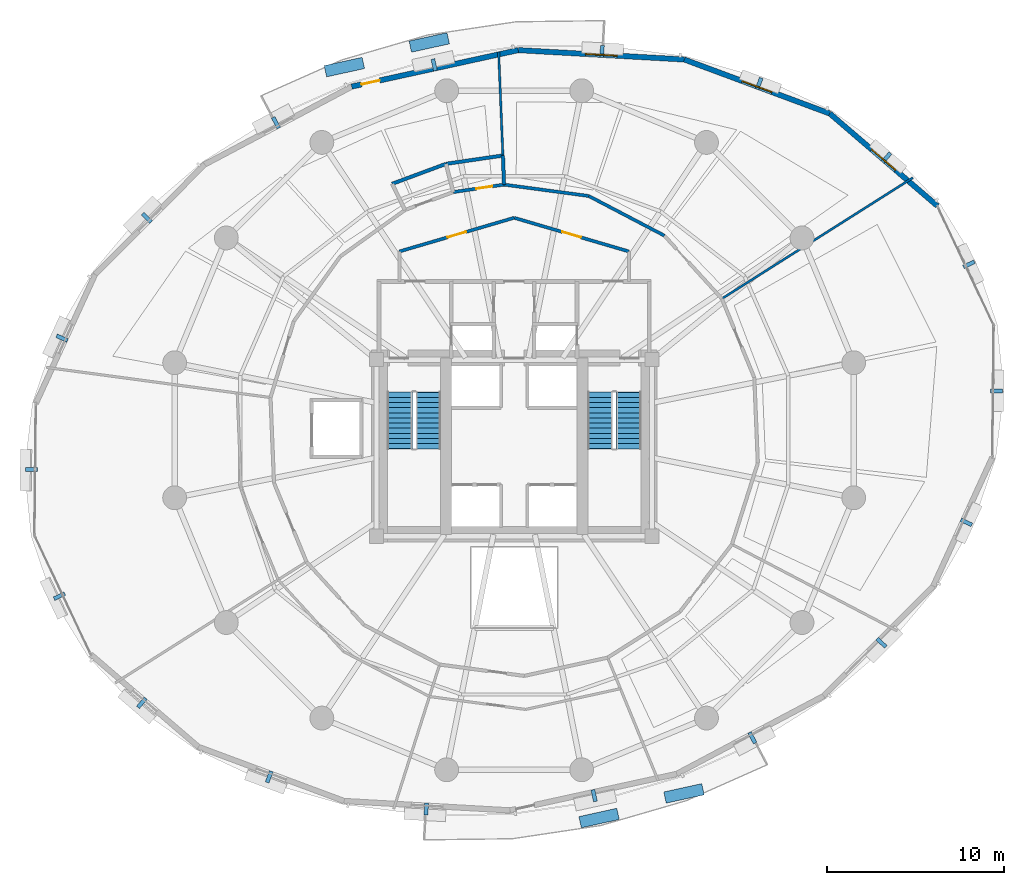
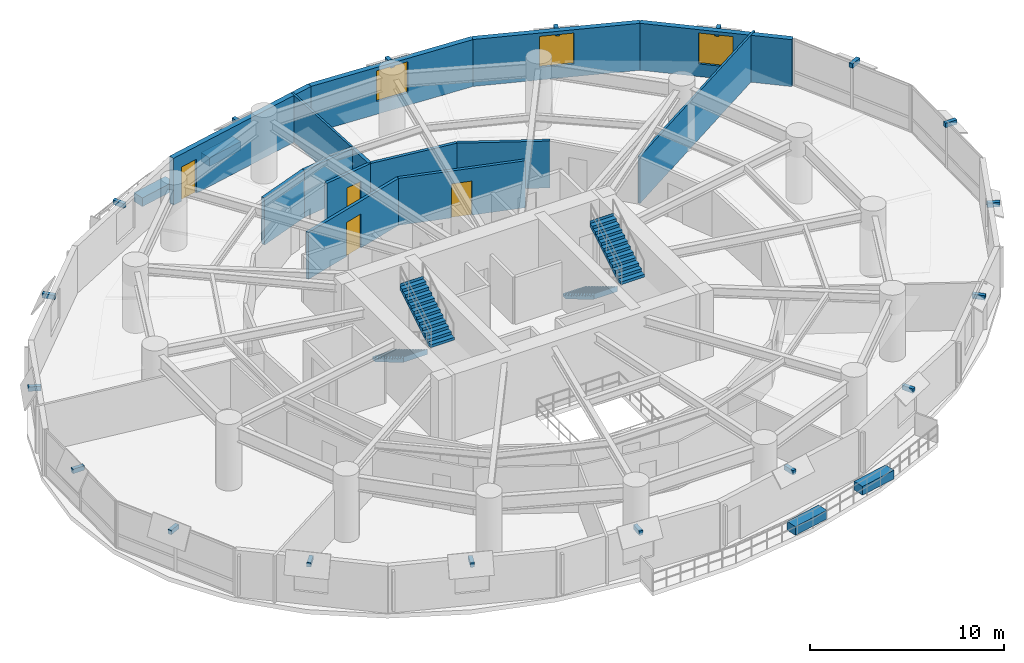
# One storey, part 14 of 17: 22 discrete accessories, 14 walls, 4 doors, 4 stair flights, 3 windows, 7 openings, 2 elements without a shape of their own.
"""IFC4 building model written with IfcOpenShell, lengths in metres."""

import ifcopenshell
import ifcopenshell.guid

model = None  # the IFC model being written
_history = None  # IfcOwnerHistory: only IFC2X3 demands one
_inside = {}  # id of a spatial element -> (the spatial element, [elements in it])
_under = {}  # id of a project, library or spatial element -> (it, [spatial elements below it])
_declared = {}  # id of a project -> (the project, [libraries it declares])
_typed = {}  # id of a type object -> (the type object, [elements of that type])
_made_of = {}  # id of a material, layer set ... -> (it, [elements and type objects made of it])


def new_model(schema):
    """Start an empty IFC model of exactly this schema.

    Asked for "IFC4X3", IfcOpenShell would pick the latest addendum, in which some entities
    have other attributes; the version numbers below select the first issue.
    IFC2X3 requires an IfcOwnerHistory on every rooted entity: one is made here for all.
    """
    global model, _history
    if schema == "IFC4X3":
        model = ifcopenshell.file(schema_version=(4, 3, 0, 0))
    else:
        model = ifcopenshell.file(schema=schema)
    _inside.clear()
    _under.clear()
    _declared.clear()
    _typed.clear()
    _made_of.clear()
    _history = None
    if model.schema == "IFC2X3":
        org = make("IfcOrganization", Name="unknown")
        user = make(
            "IfcPersonAndOrganization",
            ThePerson=make("IfcPerson", FamilyName="unknown"),
            TheOrganization=org,
        )
        app = make(
            "IfcApplication",
            ApplicationDeveloper=org,
            Version="unknown",
            ApplicationFullName="unknown",
            ApplicationIdentifier="unknown",
        )
        _history = make(
            "IfcOwnerHistory",
            OwningUser=user,
            OwningApplication=app,
            ChangeAction="ADDED",
            CreationDate=0,
        )
    return model


def make(cls, **values):
    """One entity of the class cls with the attributes given. An attribute that is None is left unset."""
    return model.create_entity(
        cls, **{name: value for name, value in values.items() if value is not None}
    )


def rooted(cls, **values):
    """An entity with a GlobalId (a new one), such as an element, a storey or a relation."""
    return make(cls, GlobalId=ifcopenshell.guid.new(), OwnerHistory=_history, **values)


def si_unit(unit_type, name, prefix=None):
    """IfcSIUnit, for example si_unit("LENGTHUNIT", "METRE", prefix="MILLI")."""
    return make("IfcSIUnit", UnitType=unit_type, Prefix=prefix, Name=name)


def assignment(units):
    """IfcUnitAssignment: the units of a project."""
    return None if units is None else make("IfcUnitAssignment", Units=units)


def point(xyz):
    """IfcCartesianPoint."""
    return None if xyz is None else make("IfcCartesianPoint", Coordinates=xyz)


def direction(xyz):
    """IfcDirection."""
    return None if xyz is None else make("IfcDirection", DirectionRatios=xyz)


def frame(location, z_axis=None, x_axis=None):
    """IfcAxis2Placement3D, a coordinate frame: its origin and axes. An axis left out is left unset."""
    return make(
        "IfcAxis2Placement3D",
        Location=point(location),
        Axis=direction(z_axis),
        RefDirection=direction(x_axis),
    )


def frame_2d(location, x_axis=None):
    """IfcAxis2Placement2D, a coordinate frame in the plane: its origin and x axis."""
    return make(
        "IfcAxis2Placement2D", Location=point(location), RefDirection=direction(x_axis)
    )


def origin():
    """The frame at (0, 0, 0) with its axes left unset."""
    return frame((0.0, 0.0, 0.0))


def origin_2d():
    """The frame at (0, 0) in the plane with its x axis left unset."""
    return frame_2d((0.0, 0.0))


def place(relative_to, where):
    """IfcLocalPlacement: puts the frame where relative to a parent placement (None: the world)."""
    return make(
        "IfcLocalPlacement", PlacementRelTo=relative_to, RelativePlacement=where
    )


def context(
    kind, dimensions, precision=None, world=None, true_north=None, identifier=None
):
    """IfcGeometricRepresentationContext, for example the 3D "Model" context."""
    return make(
        "IfcGeometricRepresentationContext",
        ContextIdentifier=identifier,
        ContextType=kind,
        CoordinateSpaceDimension=dimensions,
        Precision=precision,
        WorldCoordinateSystem=world,
        TrueNorth=true_north,
    )


def subcontext(parent, identifier, kind, view, scale=None):
    """IfcGeometricRepresentationSubContext, for example "Body" below "Model"."""
    return make(
        "IfcGeometricRepresentationSubContext",
        ContextIdentifier=identifier,
        ContextType=kind,
        ParentContext=parent,
        TargetScale=scale,
        TargetView=view,
    )


def project(units=None, contexts=None):
    """IfcProject with its units and contexts."""
    return rooted(
        "IfcProject",
        Name="project",
        RepresentationContexts=contexts,
        UnitsInContext=assignment(units),
    )


def spatial(cls, under=None, at=None, **own):
    """A site, building, storey or space (cls), placed at a placement, below another one or the project."""
    s = rooted(cls, ObjectPlacement=at, **own)
    if under is not None:
        _under.setdefault(under.id(), (under, []))[1].append(s)
    return s


def polyline(points):
    """IfcPolyline through the points."""
    return make("IfcPolyline", Points=[point(p) for p in points])


def profile(cls, at=None, kind="AREA", **sizes):
    """A parametric profile (cls). Its sizes go by their IFC names, for example OverallWidth=200.0."""
    return make(cls, ProfileType=kind, Position=at, **sizes)


def rectangle(**sizes):
    """IfcRectangleProfileDef."""
    return profile("IfcRectangleProfileDef", **sizes)


def outline(outer, holes=None, kind="AREA"):
    """IfcArbitraryClosedProfileDef: a profile drawn as a closed curve; with holes, ...WithVoids."""
    if holes is None:
        return make("IfcArbitraryClosedProfileDef", ProfileType=kind, OuterCurve=outer)
    return make(
        "IfcArbitraryProfileDefWithVoids",
        ProfileType=kind,
        OuterCurve=outer,
        InnerCurves=holes,
    )


def extrude(swept, where, along, depth):
    """IfcExtrudedAreaSolid: the profile swept, set in the frame where, extruded along a direction by depth."""
    return make(
        "IfcExtrudedAreaSolid",
        SweptArea=swept,
        Position=where,
        ExtrudedDirection=direction(along),
        Depth=depth,
    )


def shape(context_of_items, identifier, shape_type, items):
    """IfcShapeRepresentation: the items that make up one representation, for example the "Body"."""
    return make(
        "IfcShapeRepresentation",
        ContextOfItems=context_of_items,
        RepresentationIdentifier=identifier,
        RepresentationType=shape_type,
        Items=items,
    )


def material(Name=None, Category=None):
    """IfcMaterial."""
    return make("IfcMaterial", Name=Name, Category=Category)


def layer(
    of_material, thickness, ventilated=None, Name=None, Category=None, Priority=None
):
    """IfcMaterialLayer: one layer of a wall or slab, of a material (None: an air gap)."""
    return make(
        "IfcMaterialLayer",
        Material=of_material,
        LayerThickness=thickness,
        IsVentilated=ventilated,
        Name=Name,
        Category=Category,
        Priority=Priority,
    )


def layer_set(layers, Name=None):
    """IfcMaterialLayerSet."""
    return make("IfcMaterialLayerSet", MaterialLayers=layers, LayerSetName=Name)


def made_of(thing, what):
    """Note that an element or type object is made of a material, layer set ...; save() writes the relation."""
    if what is not None:
        _made_of.setdefault(what.id(), (what, []))[1].append(thing)
    return thing


def type_object(cls, material=None, **own):
    """A type object (cls), such as IfcWallType, which elements share."""
    return made_of(rooted(cls, **own), material)


def element(
    cls,
    number,
    at=None,
    inside=None,
    cuts=None,
    type_object=None,
    material=None,
    context=None,
    identifier="Body",
    shape_type=None,
    held_by="IfcProductDefinitionShape",
    body=None,
    shapes=None,
    **own,
):
    """One element of the class cls, such as IfcWall. Its Tag is "e" and its number.

    at: its placement. inside: the storey or other place that contains it. cuts: it is an
    opening in that element (IfcRelVoidsElement). A single representation is given by context,
    identifier, shape_type and body (its items); several are given by shapes. held_by: the class
    of the entity that holds the representations. save() writes the other relations.
    """
    e = rooted(cls, Tag="e%d" % number, ObjectPlacement=at, **own)
    if body is not None:
        shapes = [shape(context, identifier, shape_type, body)]
    if shapes is not None:
        e.Representation = make(held_by, Representations=shapes)
    if inside is not None:
        _inside.setdefault(inside.id(), (inside, []))[1].append(e)
    if cuts is not None:
        rooted(
            "IfcRelVoidsElement", RelatingBuildingElement=cuts, RelatedOpeningElement=e
        )
    if type_object is not None:
        _typed.setdefault(type_object.id(), (type_object, []))[1].append(e)
    return made_of(e, material)


def fill(opening, filler):
    """IfcRelFillsElement: the door or window that sits in an opening."""
    return rooted(
        "IfcRelFillsElement",
        RelatingOpeningElement=opening,
        RelatedBuildingElement=filler,
    )


def aggregate(whole, parts):
    """IfcRelAggregates: a whole, such as a stair, and the parts it consists of."""
    return rooted("IfcRelAggregates", RelatingObject=whole, RelatedObjects=parts)


def save(model, path):
    """Write the relations noted so far, then the file.

    IfcRelAggregates (storeys below a building ...), IfcRelContainedInSpatialStructure (elements
    in a storey), IfcRelDefinesByType, IfcRelAssociatesMaterial and IfcRelDeclares: one each for
    every whole, place, type object, material and project.
    """
    for whole, parts in _under.values():
        aggregate(whole, parts)
    for where, things in _inside.values():
        rooted(
            "IfcRelContainedInSpatialStructure",
            RelatedElements=things,
            RelatingStructure=where,
        )
    for kind, things in _typed.values():
        rooted("IfcRelDefinesByType", RelatedObjects=things, RelatingType=kind)
    for what, things in _made_of.values():
        rooted("IfcRelAssociatesMaterial", RelatedObjects=things, RelatingMaterial=what)
    for by, libraries in _declared.values():
        rooted("IfcRelDeclares", RelatingContext=by, RelatedDefinitions=libraries)
    model.write(path)


model = new_model("IFC4")

# Units and contexts
model_context = context("Model", 3, precision=1e-05, world=origin(), true_north=direction((0.0, 1.0)))
body_context = subcontext(model_context, "Body", "Model", "MODEL_VIEW")
ifc_project = project(units=[si_unit("LENGTHUNIT", "METRE"), si_unit("AREAUNIT", "SQUARE_METRE"), si_unit("VOLUMEUNIT", "CUBIC_METRE"), si_unit("PLANEANGLEUNIT", "RADIAN"), si_unit("MASSUNIT", "GRAM", prefix="KILO"), si_unit("THERMODYNAMICTEMPERATUREUNIT", "KELVIN"), si_unit("POWERUNIT", "WATT")], contexts=[model_context])

# Site, building, storey
site_placement = place(None, origin())
site = spatial("IfcSite", under=ifc_project, at=site_placement, CompositionType="ELEMENT")
building_placement = place(site_placement, origin())
building = spatial("IfcBuilding", under=site, at=building_placement, Name="Ocrelia Relay Tower", CompositionType="ELEMENT")
storey_placement = place(building_placement, frame((0.0, 0.0, 84.60009765625)))
storey = spatial("IfcBuildingStorey", under=building, at=storey_placement, Name="L19", CompositionType="ELEMENT", Elevation=84.60009765625)

# Wall, opening, door
ifc_material_1 = material(Name="Gypsum Fireboard Partition EI60", Category="gypsum")
ifc_layer_1 = layer(ifc_material_1, 0.179931640625, Name="Gypsum Fireboard Partition EI60")
ifc_layer_set_1 = layer_set([ifc_layer_1], Name="Gypsum Fireboard Partition EI60")
wall_type_1 = type_object("IfcWallType", Name="W-CORR-EI60-180", PredefinedType="PARTITIONING", material=ifc_layer_set_1)
wall_1_placement = place(storey_placement, frame((27.5, 36.122802734375, 0.0), z_axis=(0.0, 0.0, 1.0), x_axis=(0.959546654541, 0.281549671923, 0.0)))
wall_1 = element("IfcWall", 1, at=wall_1_placement, inside=storey, type_object=wall_type_1, Name="L19 North Smoke Lobby W Screen Wall", PredefinedType="PARTITIONING", context=body_context, shape_type="SweptSolid", body=[
    extrude(rectangle(XDim=6.77392578125, YDim=0.179931640625, at=frame_2d((3.386962890625, 0.0))), origin(), (0.0, 0.0, 1.0), 2.9599609375),
])
opening_1_placement = place(wall_1_placement, frame((2.8369140625, 0.0, 0.0)))
opening_1 = element("IfcOpeningElement", 2, at=opening_1_placement, cuts=wall_1, Name="Opening D-FD60", PredefinedType="OPENING", context=body_context, shape_type="SweptSolid", body=[
    extrude(rectangle(XDim=1.10009765625, YDim=2.14990234375, at=frame_2d((0.550048828125, 1.074951171875))), frame((0.0, 0.10009765625, 0.0), z_axis=(0.0, -1.0, 0.0), x_axis=(1.0, 0.0, 0.0)), (0.0, 0.0, 1.0), 0.199951171875),
])
ifc_material_2 = material(Name="Timber-core 60-min acoustic fire door", Category="wood")
door_type_1 = type_object("IfcDoorType", Name="DR-LOBBY-FD60-1100", OperationType="NOTDEFINED", PredefinedType="DOOR", material=ifc_material_2)
door_1_placement = place(opening_1_placement, origin())
door_1 = element("IfcDoor", 3, at=door_1_placement, inside=storey, type_object=door_type_1, Name="L19 North Smoke Lobby W Fire Door", OperationType="SINGLE_SWING_RIGHT", OverallHeight=2.14990234375, OverallWidth=1.10009765625, PredefinedType="DOOR", context=body_context, shape_type="SweptSolid", body=[
    extrude(rectangle(XDim=1.10009765625, YDim=2.14990234375, at=frame_2d((0.550048828125, 1.074951171875))), frame((0.0, 0.02490234375, 0.0), z_axis=(0.0, -1.0, 0.0), x_axis=(1.0, 0.0, 0.0)), (0.0, 0.0, 1.0), 0.050048828125),
])
fill(opening_1, door_1)

wall_2_placement = place(storey_placement, frame((34.0, 38.030029296875, 0.0), z_axis=(0.0, 0.0, 1.0), x_axis=(0.959546654541, -0.281549671923, 0.0)))
wall_2 = element("IfcWall", 4, at=wall_2_placement, inside=storey, type_object=wall_type_1, Name="L19 North Smoke Lobby E Screen Wall", PredefinedType="PARTITIONING", context=body_context, shape_type="SweptSolid", body=[
    extrude(rectangle(XDim=6.77392578125, YDim=0.179931640625, at=frame_2d((3.386962890625, 0.0))), origin(), (0.0, 0.0, 1.0), 2.9599609375),
])
opening_2_placement = place(wall_2_placement, frame((2.8369140625, 0.0, 0.0)))
opening_2 = element("IfcOpeningElement", 5, at=opening_2_placement, cuts=wall_2, Name="Opening D-FD60", PredefinedType="OPENING", context=body_context, shape_type="SweptSolid", body=[
    extrude(rectangle(XDim=1.10009765625, YDim=2.14990234375, at=frame_2d((0.550048828125, 1.074951171875))), frame((0.0, 0.10009765625, 0.0), z_axis=(0.0, -1.0, 0.0), x_axis=(1.0, 0.0, 0.0)), (0.0, 0.0, 1.0), 0.199951171875),
])
door_2_placement = place(opening_2_placement, origin())
door_2 = element("IfcDoor", 6, at=door_2_placement, inside=storey, type_object=door_type_1, Name="L19 North Smoke Lobby E Fire Door", OperationType="SINGLE_SWING_LEFT", OverallHeight=2.14990234375, OverallWidth=1.10009765625, PredefinedType="DOOR", context=body_context, shape_type="SweptSolid", body=[
    extrude(rectangle(XDim=1.10009765625, YDim=2.14990234375, at=frame_2d((0.550048828125, 1.074951171875))), frame((0.0, 0.02490234375, 0.0), z_axis=(0.0, -1.0, 0.0), x_axis=(1.0, 0.0, 0.0)), (0.0, 0.0, 1.0), 0.050048828125),
])
fill(opening_2, door_2)

wall_3_placement = place(storey_placement, frame((33.42919921875, 39.908203125, 0.0), z_axis=(0.0, 0.0, 1.0), x_axis=(-0.989398525704, -0.145225883829, 0.0)))
wall_3 = element("IfcWall", 7, at=wall_3_placement, inside=storey, type_object=wall_type_1, Name="L19 Staff Toilet Corridor Wall", PredefinedType="PARTITIONING", context=body_context, shape_type="SweptSolid", body=[
    extrude(rectangle(XDim=2.909912109375, YDim=0.179931640625, at=frame_2d((1.455078125, 0.0))), origin(), (0.0, 0.0, 1.0), 2.9599609375),
])
opening_3_placement = place(wall_3_placement, frame((0.6689453125, 0.0, 0.0)))
opening_3 = element("IfcOpeningElement", 8, at=opening_3_placement, cuts=wall_3, Name="Opening D-WC92", PredefinedType="OPENING", context=body_context, shape_type="SweptSolid", body=[
    extrude(rectangle(XDim=0.919921875, YDim=2.10009765625, at=frame_2d((0.4599609375, 1.050048828125))), frame((0.0, 0.10009765625, 0.0), z_axis=(0.0, -1.0, 0.0), x_axis=(1.0, 0.0, 0.0)), (0.0, 0.0, 1.0), 0.199951171875),
])
ifc_material_3 = material(Name="Laminate washroom door", Category="wood")
door_type_2 = type_object("IfcDoorType", Name="DR-WC-920", OperationType="NOTDEFINED", PredefinedType="DOOR", material=ifc_material_3)
door_3_placement = place(opening_3_placement, origin())
door_3 = element("IfcDoor", 9, at=door_3_placement, inside=storey, type_object=door_type_2, Name="L19 Staff Toilet Door", OperationType="SINGLE_SWING_RIGHT", OverallHeight=2.10009765625, OverallWidth=0.919921875, PredefinedType="DOOR", context=body_context, shape_type="SweptSolid", body=[
    extrude(rectangle(XDim=0.919921875, YDim=2.10009765625, at=frame_2d((0.4599609375, 1.050048828125))), frame((0.0, 0.02490234375, 0.0), z_axis=(0.0, -1.0, 0.0), x_axis=(1.0, 0.0, 0.0)), (0.0, 0.0, 1.0), 0.050048828125),
])
fill(opening_3, door_3)

# Walls
wall_4_placement = place(storey_placement, frame((42.502685546875, 37.021240234375, 0.0), z_axis=(0.0, 0.0, 1.0), x_axis=(-0.885791991461, 0.464082479591, 0.0)))
element("IfcWall", 10, at=wall_4_placement, inside=storey, type_object=wall_type_1, Name="L19 Innovation Club Room Corridor Partition 2", PredefinedType="PARTITIONING", context=body_context, shape_type="SweptSolid", body=[
    extrude(rectangle(XDim=4.833984375, YDim=0.179931640625, at=frame_2d((2.4169921875, 0.0))), origin(), (0.0, 0.0, 1.0), 2.9599609375),
])
wall_5_placement = place(storey_placement, frame((38.220703125, 39.2646484375, 0.0), z_axis=(0.0, 0.0, 1.0), x_axis=(-0.991100422672, 0.133116310719, 0.0)))
element("IfcWall", 11, at=wall_5_placement, inside=storey, type_object=wall_type_1, Name="L19 Innovation Club Room Corridor Partition 3", PredefinedType="PARTITIONING", context=body_context, shape_type="SweptSolid", body=[
    extrude(rectangle(XDim=4.83447265625, YDim=0.179931640625, at=frame_2d((2.417236328125, 0.0))), origin(), (0.0, 0.0, 1.0), 2.9599609375),
])

# Wall, opening, window
ifc_material_4 = material(Name="Precast concrete C40/50 with oxide terracotta", Category="masonry")
ifc_layer_2 = layer(ifc_material_4, 0.300048828125, Name="Precast concrete C40/50 with oxide terracotta")
ifc_layer_set_2 = layer_set([ifc_layer_2], Name="Precast concrete C40/50 with oxide terracotta")
wall_type_2 = type_object("IfcWallType", Name="W-EXT-TERR-300", PredefinedType="SOLIDWALL", material=ifc_layer_set_2)
wall_6_placement = place(storey_placement, frame((57.960693359375, 38.703857421875, 0.0), z_axis=(0.0, 0.0, 1.0), x_axis=(-0.758684823953, 0.651457855815, 0.0)))
wall_6 = element("IfcWall", 12, at=wall_6_placement, inside=storey, type_object=wall_type_2, Name="L19 Oxide Terracotta Facade Wall 02", PredefinedType="SOLIDWALL", context=body_context, shape_type="SweptSolid", body=[
    extrude(rectangle(XDim=8.021484375, YDim=0.300048828125, at=frame_2d((4.0107421875, 0.0))), origin(), (0.0, 0.0, 1.0), 2.9599609375),
])
opening_4_placement = place(wall_6_placement, frame((3.111083984375, 0.0, 0.800048828125)))
opening_4 = element("IfcOpeningElement", 13, at=opening_4_placement, cuts=wall_6, Name="Opening W-02", PredefinedType="OPENING", context=body_context, shape_type="SweptSolid", body=[
    extrude(rectangle(XDim=1.800048828125, YDim=1.949951171875, at=frame_2d((0.89990234375, 0.97509765625))), frame((0.0, 0.16015625, 0.0), z_axis=(0.0, -1.0, 0.0), x_axis=(1.0, 0.0, 0.0)), (0.0, 0.0, 1.0), 0.320068359375),
])
ifc_material_5 = material(Name="Clear double-glazed low-E glass", Category="glass")
window_type = type_object("IfcWindowType", Name="WIN-Z1-1800x2100", PartitioningType="DOUBLE_PANEL_VERTICAL", PredefinedType="WINDOW", material=ifc_material_5)
window_1_placement = place(opening_4_placement, origin())
window_1 = element("IfcWindow", 14, at=window_1_placement, inside=storey, type_object=window_type, Name="L19 Facade Module Window 02", OverallHeight=1.949951171875, OverallWidth=1.800048828125, PartitioningType="SINGLE_PANEL", PredefinedType="WINDOW", context=body_context, shape_type="SweptSolid", body=[
    extrude(rectangle(XDim=1.800048828125, YDim=1.949951171875, at=frame_2d((0.89990234375, 0.97509765625))), frame((0.0, 0.030029296875, 0.0), z_axis=(0.0, -1.0, 0.0), x_axis=(1.0, 0.0, 0.0)), (0.0, 0.0, 1.0), 0.06005859375),
])
fill(opening_4, window_1)

wall_7_placement = place(storey_placement, frame((51.875, 43.929443359375, 0.0), z_axis=(0.0, 0.0, 1.0), x_axis=(-0.937362334375, 0.348355930184, 0.0)))
wall_7 = element("IfcWall", 15, at=wall_7_placement, inside=storey, type_object=wall_type_2, Name="L19 Oxide Terracotta Facade Wall 03", PredefinedType="SOLIDWALL", context=body_context, shape_type="SweptSolid", body=[
    extrude(rectangle(XDim=8.792724609375, YDim=0.300048828125, at=frame_2d((4.396484375, 0.0))), origin(), (0.0, 0.0, 1.0), 2.9599609375),
])
opening_5_placement = place(wall_7_placement, frame((3.49609375, 0.0, 0.800048828125)))
opening_5 = element("IfcOpeningElement", 16, at=opening_5_placement, cuts=wall_7, Name="Opening W-02", PredefinedType="OPENING", context=body_context, shape_type="SweptSolid", body=[
    extrude(rectangle(XDim=1.800048828125, YDim=1.949951171875, at=frame_2d((0.89990234375, 0.97509765625))), frame((0.0, 0.16015625, 0.0), z_axis=(0.0, -1.0, 0.0), x_axis=(1.0, 0.0, 0.0)), (0.0, 0.0, 1.0), 0.320068359375),
])
window_2_placement = place(opening_5_placement, origin())
window_2 = element("IfcWindow", 17, at=window_2_placement, inside=storey, type_object=window_type, Name="L19 Facade Module Window 03", OverallHeight=1.949951171875, OverallWidth=1.800048828125, PartitioningType="SINGLE_PANEL", PredefinedType="WINDOW", context=body_context, shape_type="SweptSolid", body=[
    extrude(rectangle(XDim=1.800048828125, YDim=1.949951171875, at=frame_2d((0.89990234375, 0.97509765625))), frame((0.0, 0.030029296875, 0.0), z_axis=(0.0, -1.0, 0.0), x_axis=(1.0, 0.0, 0.0)), (0.0, 0.0, 1.0), 0.06005859375),
])
fill(opening_5, window_2)

wall_8_placement = place(storey_placement, frame((43.633056640625, 46.992431640625, 0.0), z_axis=(0.0, 0.0, 1.0), x_axis=(-0.998409535383, 0.056377297353, 0.0)))
wall_8 = element("IfcWall", 18, at=wall_8_placement, inside=storey, type_object=wall_type_2, Name="L19 Oxide Terracotta Facade Wall 04", PredefinedType="SOLIDWALL", context=body_context, shape_type="SweptSolid", body=[
    extrude(rectangle(XDim=9.418701171875, YDim=0.300048828125, at=frame_2d((4.70947265625, 0.0))), origin(), (0.0, 0.0, 1.0), 2.9599609375),
])
opening_6_placement = place(wall_8_placement, frame((3.80908203125, 0.0, 0.800048828125)))
opening_6 = element("IfcOpeningElement", 19, at=opening_6_placement, cuts=wall_8, Name="Opening W-02", PredefinedType="OPENING", context=body_context, shape_type="SweptSolid", body=[
    extrude(rectangle(XDim=1.800048828125, YDim=1.949951171875, at=frame_2d((0.89990234375, 0.97509765625))), frame((0.0, 0.16015625, 0.0), z_axis=(0.0, -1.0, 0.0), x_axis=(1.0, 0.0, 0.0)), (0.0, 0.0, 1.0), 0.320068359375),
])
window_3_placement = place(opening_6_placement, origin())
window_3 = element("IfcWindow", 20, at=window_3_placement, inside=storey, type_object=window_type, Name="L19 Facade Module Window 04", OverallHeight=1.949951171875, OverallWidth=1.800048828125, PartitioningType="SINGLE_PANEL", PredefinedType="WINDOW", context=body_context, shape_type="SweptSolid", body=[
    extrude(rectangle(XDim=1.800048828125, YDim=1.949951171875, at=frame_2d((0.89990234375, 0.97509765625))), frame((0.0, 0.030029296875, 0.0), z_axis=(0.0, -1.0, 0.0), x_axis=(1.0, 0.0, 0.0)), (0.0, 0.0, 1.0), 0.06005859375),
])
fill(opening_6, window_3)

# Wall, opening, door
wall_9_placement = place(storey_placement, frame((34.229248046875, 47.5234375, 0.0), z_axis=(0.0, 0.0, 1.0), x_axis=(-0.97686057385, -0.213877112516, 0.0)))
wall_9 = element("IfcWall", 21, at=wall_9_placement, inside=storey, type_object=wall_type_2, Name="L19 Oxide Terracotta Facade Wall 05", PredefinedType="SOLIDWALL", context=body_context, shape_type="SweptSolid", body=[
    extrude(rectangle(XDim=9.65478515625, YDim=0.300048828125, at=frame_2d((4.827392578125, 0.0))), origin(), (0.0, 0.0, 1.0), 2.9599609375),
])
opening_7_placement = place(wall_9_placement, frame((8.030029296875, 0.0, 0.0)))
opening_7 = element("IfcOpeningElement", 22, at=opening_7_placement, cuts=wall_9, Name="Opening DB-105", PredefinedType="OPENING", context=body_context, shape_type="SweptSolid", body=[
    extrude(rectangle(XDim=1.050048828125, YDim=2.14990234375, at=frame_2d((0.52490234375, 1.074951171875))), frame((0.0, 0.16015625, 0.0), z_axis=(0.0, -1.0, 0.0), x_axis=(1.0, 0.0, 0.0)), (0.0, 0.0, 1.0), 0.320068359375),
])
ifc_material_6 = material(Name="Thermally broken aluminium and clear glass", Category="aluminium")
door_type_3 = type_object("IfcDoorType", Name="DR-BALC-1050", OperationType="NOTDEFINED", PredefinedType="DOOR", material=ifc_material_6)
door_4_placement = place(opening_7_placement, origin())
door_4 = element("IfcDoor", 23, at=door_4_placement, inside=storey, type_object=door_type_3, Name="L19 Planted Loggia Balcony Door B1", OperationType="SINGLE_SWING_LEFT", OverallHeight=2.14990234375, OverallWidth=1.050048828125, PredefinedType="DOOR", context=body_context, shape_type="SweptSolid", body=[
    extrude(rectangle(XDim=1.050048828125, YDim=2.14990234375, at=frame_2d((0.52490234375, 1.074951171875))), frame((0.0, 0.02490234375, 0.0), z_axis=(0.0, -1.0, 0.0), x_axis=(1.0, 0.0, 0.0)), (0.0, 0.0, 1.0), 0.050048828125),
])
fill(opening_7, door_4)

# Walls
ifc_material_7 = material(Name="Acoustic Fireboard Partition EI60", Category="gypsum")
ifc_layer_3 = layer(ifc_material_7, 0.125, Name="Acoustic Fireboard Partition EI60")
ifc_layer_set_3 = layer_set([ifc_layer_3], Name="Acoustic Fireboard Partition EI60")
wall_type_3 = type_object("IfcWallType", Name="W-PART-125", PredefinedType="PARTITIONING", material=ifc_layer_set_3)
wall_10_placement = place(storey_placement, frame((33.361572265625, 41.556884765625, 0.0), z_axis=(0.0, 0.0, 1.0), x_axis=(-0.041010556403, 0.99915871325, 0.0)))
element("IfcWall", 24, at=wall_10_placement, inside=storey, type_object=wall_type_3, Name="L19 Operations Control Office Radial Partition", PredefinedType="PARTITIONING", context=body_context, shape_type="SweptSolid", body=[
    extrude(rectangle(XDim=5.86376953125, YDim=0.125, at=frame_2d((2.931884765625, 0.0))), origin(), (0.0, 0.0, 1.0), 2.9599609375),
])
wall_11_placement = place(storey_placement, frame((45.759521484375, 33.448486328125, 0.0), z_axis=(0.0, 0.0, 1.0), x_axis=(0.844793501384, 0.535092459318, 0.0)))
element("IfcWall", 25, at=wall_11_placement, inside=storey, type_object=wall_type_3, Name="L19 Staff Wellness Room Radial Partition", PredefinedType="PARTITIONING", context=body_context, shape_type="SweptSolid", body=[
    extrude(rectangle(XDim=12.80224609375, YDim=0.125, at=frame_2d((6.401123046875, 0.0))), origin(), (0.0, 0.0, 1.0), 2.9599609375),
])
ifc_material_8 = material(Name="Moisture-Resistant Fireboard Chase Wall EI60", Category="gypsum")
ifc_layer_4 = layer(ifc_material_8, 0.199951171875, Name="Moisture-Resistant Fireboard Chase Wall EI60")
ifc_layer_set_4 = layer_set([ifc_layer_4], Name="Moisture-Resistant Fireboard Chase Wall EI60")
wall_type_4 = type_object("IfcWallType", Name="W-PLUMB-200", PredefinedType="PLUMBINGWALL", material=ifc_layer_set_4)
wall_12_placement = place(storey_placement, frame((33.42919921875, 39.908203125, 0.0), z_axis=(0.0, 0.0, 1.0), x_axis=(-0.040984341999, 0.999159788878, 0.0)))
element("IfcWall", 26, at=wall_12_placement, inside=storey, type_object=wall_type_4, Name="L19 Staff Toilet Plumbing Radial Wall", PredefinedType="PLUMBINGWALL", context=body_context, shape_type="SweptSolid", body=[
    extrude(rectangle(XDim=1.650146484375, YDim=0.199951171875, at=frame_2d((0.8251953125, 0.0))), origin(), (0.0, 0.0, 1.0), 2.9599609375),
])
wall_13_placement = place(storey_placement, frame((33.361572265625, 41.556884765625, 0.0), z_axis=(0.0, 0.0, 1.0), x_axis=(-0.989400694213, -0.145211109392, 0.0)))
element("IfcWall", 27, at=wall_13_placement, inside=storey, type_object=wall_type_4, Name="L19 Staff Toilet Back Plumbing Wall", PredefinedType="PLUMBINGWALL", context=body_context, shape_type="SweptSolid", body=[
    extrude(rectangle(XDim=3.2548828125, YDim=0.199951171875, at=frame_2d((1.62744140625, 0.0))), origin(), (0.0, 0.0, 1.0), 2.9599609375),
])
wall_14_placement = place(storey_placement, frame((30.14111328125, 41.084228515625, 0.0), z_axis=(0.0, 0.0, 1.0), x_axis=(-0.937602110864, -0.347710054073, 0.0)))
element("IfcWall", 28, at=wall_14_placement, inside=storey, type_object=wall_type_4, Name="L19 Accessible Toilet Back Plumbing Wall", PredefinedType="PLUMBINGWALL", context=body_context, shape_type="SweptSolid", body=[
    extrude(rectangle(XDim=3.255126953125, YDim=0.199951171875, at=frame_2d((1.62744140625, 0.0))), origin(), (0.0, 0.0, 1.0), 2.9599609375),
])

# Stair, stair flights
ifc_material_9 = material(Name="Concrete C50/60", Category="concrete")
stair_type = type_object("IfcStairType", Name="ST-DL-1420-R175", PredefinedType="HALF_TURN_STAIR", material=ifc_material_9)
stair_1_placement = place(storey_placement, origin())
stair_1 = element("IfcStair", 29, at=stair_1_placement, inside=storey, type_object=stair_type, Name="L19 West Core Exit Stair ST1", PredefinedType="HALF_TURN_STAIR")
stair_flight_type = type_object("IfcStairFlightType", Name="STF-DL-1420-R175", PredefinedType="STRAIGHT", material=ifc_material_9)
stair_flight_1_placement = place(storey_placement, frame((27.52001953125, 28.14990234375, 0.0), z_axis=(0.0, 0.0, 1.0), x_axis=(0.0, -1.0, 0.0)))
stair_flight_1 = element("IfcStairFlight", 30, at=stair_flight_1_placement, type_object=stair_flight_type, Name="ST1 flight 1", NumberOfRisers=12, NumberOfTreads=11, PredefinedType="STRAIGHT", RiserHeight=0.175, TreadLength=0.29, context=body_context, shape_type="SweptSolid", body=[
    extrude(outline(polyline([(-0.008056640625, 0.0), (-0.008056640625, 0.175048828125), (0.0, 0.175048828125), (0.2900390625, 0.175048828125), (0.2900390625, 0.35009765625), (0.580078125, 0.35009765625), (0.580078125, 0.52490234375), (0.8701171875, 0.52490234375), (0.8701171875, 0.699951171875), (1.159912109375, 0.699951171875), (1.159912109375, 0.875), (1.449951171875, 0.875), (1.449951171875, 1.050048828125), (1.739990234375, 1.050048828125), (1.739990234375, 1.22509765625), (2.030029296875, 1.22509765625), (2.030029296875, 1.39990234375), (2.320068359375, 1.39990234375), (2.320068359375, 1.574951171875), (2.610107421875, 1.574951171875), (2.610107421875, 1.75), (2.89990234375, 1.75), (2.89990234375, 1.925048828125), (3.18994140625, 1.925048828125), (3.18994140625, 2.10009765625), (3.197998046875, 2.10009765625), (3.197998046875, 1.75), (0.2900390625, 0.0), (-0.008056640625, 0.0)])), frame((0.0, 0.7099609375, 0.0), z_axis=(0.0, -1.0, 0.0), x_axis=(1.0, 0.0, 0.0)), (0.0, 0.0, 1.0), 1.419921875),
])
stair_flight_2_placement = place(storey_placement, frame((29.139892578125, 24.9599609375, 2.099853515625), z_axis=(0.0, 0.0, 1.0), x_axis=(0.0, 1.0, 0.0)))
stair_flight_2 = element("IfcStairFlight", 31, at=stair_flight_2_placement, type_object=stair_flight_type, Name="ST1 flight 2", NumberOfRisers=12, NumberOfTreads=11, PredefinedType="STRAIGHT", RiserHeight=0.175, TreadLength=0.29, context=body_context, shape_type="SweptSolid", body=[
    extrude(outline(polyline([(-0.008056640625, 0.0), (-0.008056640625, 0.175048828125), (0.0, 0.175048828125), (0.2900390625, 0.175048828125), (0.2900390625, 0.35009765625), (0.580078125, 0.35009765625), (0.580078125, 0.52490234375), (0.8701171875, 0.52490234375), (0.8701171875, 0.699951171875), (1.159912109375, 0.699951171875), (1.159912109375, 0.875), (1.449951171875, 0.875), (1.449951171875, 1.050048828125), (1.739990234375, 1.050048828125), (1.739990234375, 1.22509765625), (2.030029296875, 1.22509765625), (2.030029296875, 1.39990234375), (2.320068359375, 1.39990234375), (2.320068359375, 1.574951171875), (2.610107421875, 1.574951171875), (2.610107421875, 1.75), (2.89990234375, 1.75), (2.89990234375, 1.925048828125), (3.18994140625, 1.925048828125), (3.18994140625, 2.10009765625), (3.197998046875, 2.10009765625), (3.197998046875, 1.75), (0.2900390625, 0.0), (-0.008056640625, 0.0)])), frame((0.0, 0.7099609375, 0.0), z_axis=(0.0, -1.0, 0.0), x_axis=(1.0, 0.0, 0.0)), (0.0, 0.0, 1.0), 1.419921875),
])
aggregate(stair_1, [stair_flight_1, stair_flight_2])

stair_2_placement = place(storey_placement, origin())
stair_2 = element("IfcStair", 32, at=stair_2_placement, inside=storey, type_object=stair_type, Name="L19 East Core Exit Stair ST2", PredefinedType="HALF_TURN_STAIR")
stair_flight_3_placement = place(storey_placement, frame((38.8701171875, 28.14990234375, 0.0), z_axis=(0.0, 0.0, 1.0), x_axis=(0.0, -1.0, 0.0)))
stair_flight_3 = element("IfcStairFlight", 33, at=stair_flight_3_placement, type_object=stair_flight_type, Name="ST2 flight 1", NumberOfRisers=12, NumberOfTreads=11, PredefinedType="STRAIGHT", RiserHeight=0.175, TreadLength=0.29, context=body_context, shape_type="SweptSolid", body=[
    extrude(outline(polyline([(-0.008056640625, 0.0), (-0.008056640625, 0.175048828125), (0.0, 0.175048828125), (0.2900390625, 0.175048828125), (0.2900390625, 0.35009765625), (0.580078125, 0.35009765625), (0.580078125, 0.52490234375), (0.8701171875, 0.52490234375), (0.8701171875, 0.699951171875), (1.159912109375, 0.699951171875), (1.159912109375, 0.875), (1.449951171875, 0.875), (1.449951171875, 1.050048828125), (1.739990234375, 1.050048828125), (1.739990234375, 1.22509765625), (2.030029296875, 1.22509765625), (2.030029296875, 1.39990234375), (2.320068359375, 1.39990234375), (2.320068359375, 1.574951171875), (2.610107421875, 1.574951171875), (2.610107421875, 1.75), (2.89990234375, 1.75), (2.89990234375, 1.925048828125), (3.18994140625, 1.925048828125), (3.18994140625, 2.10009765625), (3.197998046875, 2.10009765625), (3.197998046875, 1.75), (0.2900390625, 0.0), (-0.008056640625, 0.0)])), frame((0.0, 0.7099609375, 0.0), z_axis=(0.0, -1.0, 0.0), x_axis=(1.0, 0.0, 0.0)), (0.0, 0.0, 1.0), 1.419921875),
])
stair_flight_4_placement = place(storey_placement, frame((40.489990234375, 24.9599609375, 2.099853515625), z_axis=(0.0, 0.0, 1.0), x_axis=(0.0, 1.0, 0.0)))
stair_flight_4 = element("IfcStairFlight", 34, at=stair_flight_4_placement, type_object=stair_flight_type, Name="ST2 flight 2", NumberOfRisers=12, NumberOfTreads=11, PredefinedType="STRAIGHT", RiserHeight=0.175, TreadLength=0.29, context=body_context, shape_type="SweptSolid", body=[
    extrude(outline(polyline([(-0.008056640625, 0.0), (-0.008056640625, 0.175048828125), (0.0, 0.175048828125), (0.2900390625, 0.175048828125), (0.2900390625, 0.35009765625), (0.580078125, 0.35009765625), (0.580078125, 0.52490234375), (0.8701171875, 0.52490234375), (0.8701171875, 0.699951171875), (1.159912109375, 0.699951171875), (1.159912109375, 0.875), (1.449951171875, 0.875), (1.449951171875, 1.050048828125), (1.739990234375, 1.050048828125), (1.739990234375, 1.22509765625), (2.030029296875, 1.22509765625), (2.030029296875, 1.39990234375), (2.320068359375, 1.39990234375), (2.320068359375, 1.574951171875), (2.610107421875, 1.574951171875), (2.610107421875, 1.75), (2.89990234375, 1.75), (2.89990234375, 1.925048828125), (3.18994140625, 1.925048828125), (3.18994140625, 2.10009765625), (3.197998046875, 2.10009765625), (3.197998046875, 1.75), (0.2900390625, 0.0), (-0.008056640625, 0.0)])), frame((0.0, 0.7099609375, 0.0), z_axis=(0.0, -1.0, 0.0), x_axis=(1.0, 0.0, 0.0)), (0.0, 0.0, 1.0), 1.419921875),
])
aggregate(stair_2, [stair_flight_3, stair_flight_4])

# Discrete accessories
ifc_material_10 = material(Name="Precast concrete C40/50 planter with highland greenery", Category="concrete")
discrete_accessory_type_1 = type_object("IfcDiscreteAccessoryType", Name="ACC-BALC-PLANTER", PredefinedType="USERDEFINED", material=ifc_material_10)
for number, where, z_axis, x_axis, name in (
    (35, (29.1923828125, 47.957275390625, 0.0), (0.0, 0.0, 1.0), (0.976859724674, 0.213880990999, 0.0), "L19 Balcony Terracotta Planter with Greenery B1"),
    (36, (24.385986328125, 46.5615234375, 0.0), (0.0, 0.0, 1.0), (0.976859724674, 0.213880990999, 0.0), "L19 Balcony Terracotta Planter B1-2"),
    (37, (38.8076171875, 4.042724609375, 0.0), (0.0, 0.0, 1.0), (-0.976859724674, -0.213880990999, 0.0), "L19 Balcony Terracotta Planter with Greenery B2"),
    (38, (43.614013671875, 5.4384765625, 0.0), (0.0, 0.0, 1.0), (-0.976859724674, -0.213880990999, 0.0), "L19 Balcony Terracotta Planter B2-2"),
):
    element("IfcDiscreteAccessory", number, at=place(storey_placement, frame(where, z_axis=z_axis, x_axis=x_axis)), inside=storey, type_object=discrete_accessory_type_1, Name=name, ObjectType="PLANTER", PredefinedType="USERDEFINED", context=body_context, shape_type="SweptSolid", body=[
        extrude(rectangle(XDim=2.199951171875, YDim=0.64990234375, at=origin_2d()), origin(), (0.0, 0.0, 1.0), 0.550048828125),
    ])
ifc_material_11 = material(Name="Steel S355", Category="steel")
discrete_accessory_type_2 = type_object("IfcDiscreteAccessoryType", Name="ACC-VISOR-BRACKET", PredefinedType="BRACKET", material=ifc_material_11)
for number, where, z_axis, x_axis, name in (
    (39, (59.74658203125, 35.393310546875, 2.65966796875), (0.0, 0.0, 1.0), (-0.42751697878, 0.904007319027, 0.0), "L19 Visor Mounting Bracket 01"),
    (40, (55.0791015625, 41.434814453125, 2.65966796875), (0.0, 0.0, 1.0), (-0.758694890183, 0.651446132547, 0.0), "L19 Visor Mounting Bracket 02"),
    (41, (47.869384765625, 45.624267578125, 2.65966796875), (0.0, 0.0, 1.0), (-0.937357586951, 0.348368704371, 0.0), "L19 Visor Mounting Bracket 03"),
    (42, (38.976318359375, 47.452880859375, 2.65966796875), (0.0, 0.0, 1.0), (-0.998409567499, 0.056376728598, 0.0), "L19 Visor Mounting Bracket 04"),
    (43, (29.470703125, 46.686279296875, 2.65966796875), (0.0, 0.0, 1.0), (-0.976859322535, -0.213882827681, 0.0), "L19 Visor Mounting Bracket 05"),
    (44, (20.5146484375, 43.41064453125, 2.65966796875), (0.0, 0.0, 1.0), (-0.883502381406, -0.468426666672, 0.0), "L19 Visor Mounting Bracket 06"),
    (45, (13.19921875, 38.033203125, 2.65966796875), (0.0, 0.0, 1.0), (-0.70603120564, -0.708180723165, 0.0), "L19 Visor Mounting Bracket 07"),
    (46, (8.399658203125, 31.21435546875, 2.65966796875), (0.0, 0.0, 1.0), (-0.417064182171, -0.90887703676, 0.0), "L19 Visor Mounting Bracket 08"),
    (47, (6.683837890625, 23.775390625, 2.65966796875), (0.0, 0.0, 1.0), (-0.010648225703, -0.999943306038, 0.0), "L19 Visor Mounting Bracket 09"),
    (48, (8.25341796875, 16.606689453125, 2.65966796875), (0.0, 0.0, 1.0), (0.42751697878, -0.904007319027, 0.0), "L19 Visor Mounting Bracket 10"),
    (49, (12.9208984375, 10.565185546875, 2.65966796875), (0.0, 0.0, 1.0), (0.758694890183, -0.651446132547, 0.0), "L19 Visor Mounting Bracket 11"),
    (50, (20.130615234375, 6.375732421875, 2.65966796875), (0.0, 0.0, 1.0), (0.937357586951, -0.348368704371, 0.0), "L19 Visor Mounting Bracket 12"),
    (51, (29.023681640625, 4.547119140625, 2.65966796875), (0.0, 0.0, 1.0), (0.998409567499, -0.056376728598, 0.0), "L19 Visor Mounting Bracket 13"),
    (52, (38.529296875, 5.313720703125, 2.65966796875), (0.0, 0.0, 1.0), (0.976859322535, 0.213882827681, 0.0), "L19 Visor Mounting Bracket 14"),
    (53, (47.4853515625, 8.58935546875, 2.65966796875), (0.0, 0.0, 1.0), (0.883502381406, 0.468426666672, 0.0), "L19 Visor Mounting Bracket 15"),
    (54, (54.80078125, 13.966796875, 2.65966796875), (0.0, 0.0, 1.0), (0.70603120564, 0.708180723165, 0.0), "L19 Visor Mounting Bracket 16"),
    (55, (59.600341796875, 20.78564453125, 2.65966796875), (0.0, 0.0, 1.0), (0.417064182171, 0.90887703676, 0.0), "L19 Visor Mounting Bracket 17"),
    (56, (61.316162109375, 28.224609375, 2.65966796875), (0.0, 0.0, 1.0), (0.010648225703, 0.999943306038, 0.0), "L19 Visor Mounting Bracket 18"),
):
    element("IfcDiscreteAccessory", number, at=place(storey_placement, frame(where, z_axis=z_axis, x_axis=x_axis)), inside=storey, type_object=discrete_accessory_type_2, Name=name, PredefinedType="BRACKET", context=body_context, shape_type="SweptSolid", body=[
        extrude(rectangle(XDim=0.219970703125, YDim=0.679931640625, at=origin_2d()), origin(), (0.0, 0.0, 1.0), 0.280029296875),
    ])

save(model, "model.ifc")
